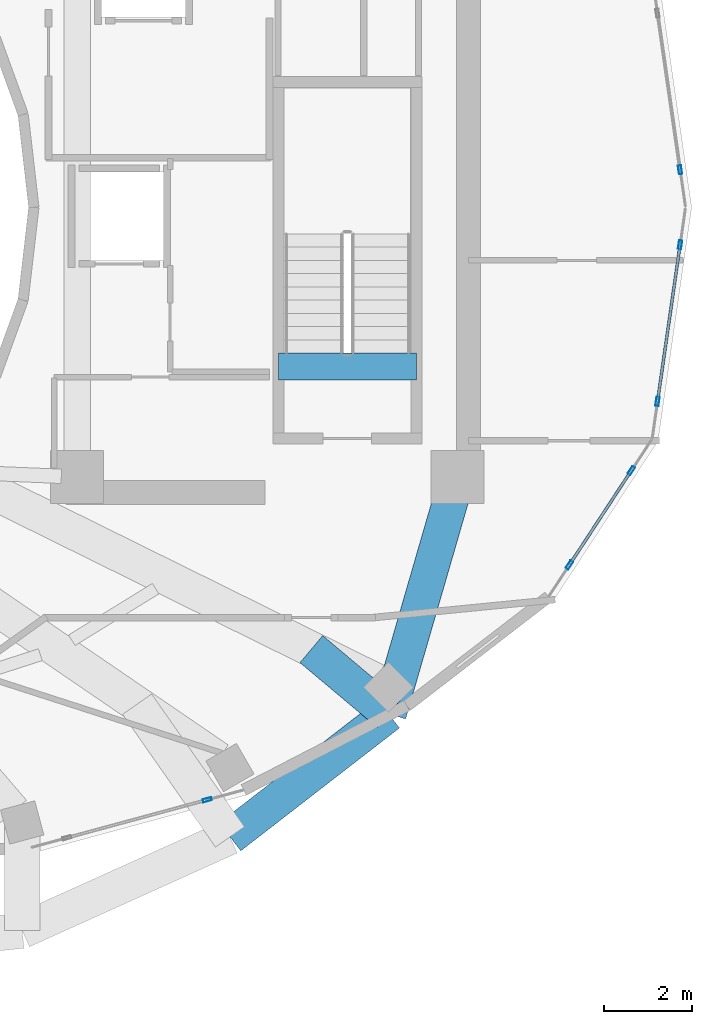
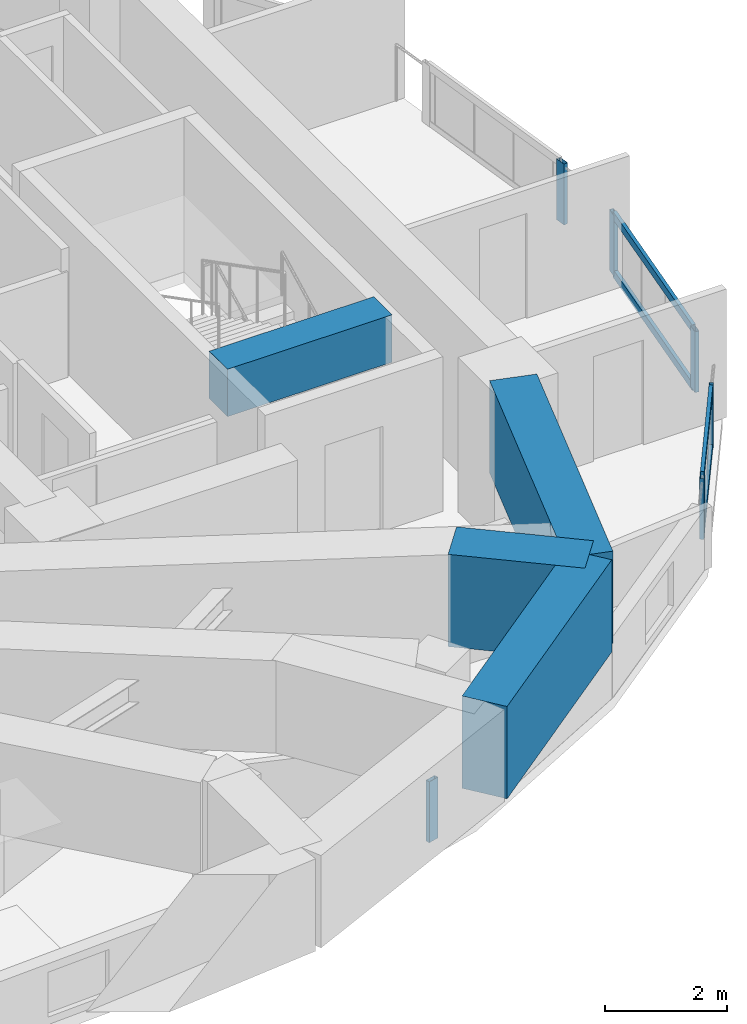
# One storey, part 9 of 19: 10 members, 4 beams, 4 elements without a shape of their own.
"""IFC4 building model written with IfcOpenShell, lengths in metres."""

from ifc_helpers import new_model, si_unit, direction, frame, origin, origin_2d, place, context, subcontext, project, spatial, rectangle, hollow_rectangle, extrude, material, layer, layer_set, material_profile, profile_set, type_object, element, aggregate, save


model = new_model("IFC4")

# Units and contexts
model_context = context("Model", 3, precision=1e-05, world=origin(), true_north=direction((0.0, 1.0)))
body_context = subcontext(model_context, "Body", "Model", "MODEL_VIEW")
ifc_project = project(units=[si_unit("LENGTHUNIT", "METRE"), si_unit("AREAUNIT", "SQUARE_METRE"), si_unit("VOLUMEUNIT", "CUBIC_METRE"), si_unit("PLANEANGLEUNIT", "RADIAN"), si_unit("MASSUNIT", "GRAM", prefix="KILO")], contexts=[model_context])

# Site, building, storey
site_placement = place(None, origin())
site = spatial("IfcSite", under=ifc_project, at=site_placement, CompositionType="ELEMENT")
building_placement = place(site_placement, origin())
building = spatial("IfcBuilding", under=site, at=building_placement, Name="Solvane Sanctuary Tower", CompositionType="ELEMENT")
storey_placement = place(building_placement, frame((0.0, 0.0, 207.800048828125)))
storey = spatial("IfcBuildingStorey", under=building, at=storey_placement, Name="L63", CompositionType="ELEMENT", Elevation=207.800048828125)

# Beams
ifc_material_1 = material(Name="Concrete C70/85", Category="concrete")
ifc_material_profile_1 = material_profile(ifc_material_1, rectangle(XDim=0.60009765625, YDim=0.949951171875, at=origin_2d()), Name="RC600X950")
ifc_profile_set_1 = profile_set([ifc_material_profile_1], Name="Concrete C70/85")
beam_type_1 = type_object("IfcBeamType", Name="Beam B-COUPLE RC600X950", PredefinedType="LINTEL", material=ifc_profile_set_1)
beam_1_placement = place(storey_placement, frame((44.64990234375, 19.399169921875, 2.625), z_axis=(1.0, 0.0, 0.0), x_axis=(0.0, 1.0, 0.0)))
element("IfcBeam", 1, at=beam_1_placement, inside=storey, type_object=beam_type_1, Name="L63 ST-2 Stair Floor Landing Trimmer", PredefinedType="LINTEL", context=body_context, shape_type="SweptSolid", body=[
    extrude(rectangle(XDim=0.60009765625, YDim=0.949951171875, at=origin_2d()), origin(), (0.0, 0.0, 1.0), 3.1201171875),
])
ifc_material_profile_2 = material_profile(ifc_material_1, rectangle(XDim=0.800048828125, YDim=1.85009765625, at=origin_2d()), Name="RC800X1850")
ifc_profile_set_2 = profile_set([ifc_material_profile_2], Name="Concrete C70/85")
beam_type_2 = type_object("IfcBeamType", Name="Beam B-XFER-BLK RC800X1850", PredefinedType="BEAM", material=ifc_profile_set_2)
beam_2_placement = place(storey_placement, frame((45.396484375, 13.006591796875, 2.175048828125), z_axis=(0.765814389122, -0.643061677768, 0.0), x_axis=(0.643061677768, 0.765814389122, 0.0)))
element("IfcBeam", 2, at=beam_2_placement, inside=storey, type_object=beam_type_2, Name="L63 Block-Shift Transfer Tie 14B", PredefinedType="BEAM", context=body_context, shape_type="SweptSolid", body=[
    extrude(rectangle(XDim=0.800048828125, YDim=1.85009765625, at=origin_2d()), origin(), (0.0, 0.0, 1.0), 2.283203125),
])
beam_3_placement = place(storey_placement, frame((43.55517578125, 8.758544921875, 2.175048828125), z_axis=(0.790664929002, 0.612249107836, 0.0), x_axis=(-0.612249107836, 0.790664929002, 0.0)))
element("IfcBeam", 3, at=beam_3_placement, inside=storey, type_object=beam_type_2, Name="L63 Perimeter Step Transfer Ring NTC13-NTC14", PredefinedType="BEAM", context=body_context, shape_type="SweptSolid", body=[
    extrude(rectangle(XDim=0.800048828125, YDim=1.85009765625, at=origin_2d()), origin(), (0.0, 0.0, 1.0), 4.540283203125),
])
beam_4_placement = place(storey_placement, frame((47.14501953125, 11.538330078125, 2.175048828125), z_axis=(0.278522294189, 0.960429764033, 0.0), x_axis=(-0.960429764033, 0.278522294189, 0.0)))
element("IfcBeam", 4, at=beam_4_placement, inside=storey, type_object=beam_type_2, Name="L63 Perimeter Step Transfer Ring NTC14-CE2", PredefinedType="BEAM", context=body_context, shape_type="SweptSolid", body=[
    extrude(rectangle(XDim=0.800048828125, YDim=1.85009765625, at=origin_2d()), origin(), (0.0, 0.0, 1.0), 5.222412109375),
])

# Curtain wall, member
ifc_material_2 = material(Name="Anodised Aluminium 6063-T6", Category="aluminium")
ifc_layer_1 = layer(ifc_material_2, 0.2099609375, Name="Anodised Aluminium 6063-T6")
ifc_layer_set_1 = layer_set([ifc_layer_1], Name="Anodised Aluminium 6063-T6")
curtain_wall_type_1 = type_object("IfcCurtainWallType", Name="Curtain Wall CW-PORTAL", PredefinedType="NOTDEFINED", material=ifc_layer_set_1)
curtain_wall_1_placement = place(storey_placement, origin())
curtain_wall_1 = element("IfcCurtainWall", 5, at=curtain_wall_1_placement, inside=storey, type_object=curtain_wall_type_1, Name="L63 CW-PORTAL Facade Run 00", PredefinedType="NOTDEFINED")
ifc_material_profile_3 = material_profile(ifc_material_2, hollow_rectangle(XDim=0.074951171875, YDim=0.199951171875, WallThickness=0.00390625, at=origin_2d()), Name="ALU200X75X4")
ifc_profile_set_3 = profile_set([ifc_material_profile_3], Name="Anodised Aluminium 6063-T6")
member_type_1 = type_object("IfcMemberType", Name="Member M-CW-MUL-1 ALU200X75X4", PredefinedType="MULLION", material=ifc_profile_set_3)
member_1_placement = place(storey_placement, frame((53.737548828125, 23.8486328125, 0.0), z_axis=(0.0, 0.0, 1.0), x_axis=(-0.989765249591, -0.142705117998, 0.0)))
member_1 = element("IfcMember", 6, at=member_1_placement, type_object=member_type_1, Name="CW-PORTAL mullion 1", PredefinedType="MULLION", context=body_context, shape_type="SweptSolid", body=[
    extrude(hollow_rectangle(XDim=0.074951171875, YDim=0.199951171875, WallThickness=0.00390625, at=origin_2d()), origin(), (0.0, 0.0, 1.0), 1.219970703125),
])
aggregate(curtain_wall_1, [member_1])

ifc_layer_2 = layer(ifc_material_2, 0.18994140625, Name="Anodised Aluminium 6063-T6")
ifc_layer_set_2 = layer_set([ifc_layer_2], Name="Anodised Aluminium 6063-T6")
curtain_wall_type_2 = type_object("IfcCurtainWallType", Name="Curtain Wall CW-OPER", PredefinedType="NOTDEFINED", material=ifc_layer_set_2)
curtain_wall_2_placement = place(storey_placement, origin())
curtain_wall_2 = element("IfcCurtainWall", 7, at=curtain_wall_2_placement, inside=storey, type_object=curtain_wall_type_2, Name="L63 CW-OPER Facade Run 19", PredefinedType="NOTDEFINED")
member_2_placement = place(storey_placement, frame((43.04248046875, 9.5986328125, 0.0), z_axis=(0.0, 0.0, 1.0), x_axis=(-0.261468027073, 0.965212137728, 0.0)))
member_2 = element("IfcMember", 8, at=member_2_placement, type_object=member_type_1, Name="CW-OPER mullion 2", PredefinedType="MULLION", context=body_context, shape_type="SweptSolid", body=[
    extrude(hollow_rectangle(XDim=0.074951171875, YDim=0.199951171875, WallThickness=0.00390625, at=origin_2d()), origin(), (0.0, 0.0, 1.0), 1.219970703125),
])
aggregate(curtain_wall_2, [member_2])

# Curtain wall, members
curtain_wall_3_placement = place(storey_placement, origin())
curtain_wall_3 = element("IfcCurtainWall", 9, at=curtain_wall_3_placement, inside=storey, type_object=curtain_wall_type_1, Name="L63 CW-PORTAL Facade Run 22", PredefinedType="NOTDEFINED")
member_3_placement = place(storey_placement, frame((51.2314453125, 14.90771484375, 0.0), z_axis=(0.0, 0.0, 1.0), x_axis=(-0.83595908826, 0.548791766298, 0.0)))
member_3 = element("IfcMember", 10, at=member_3_placement, type_object=member_type_1, Name="CW-PORTAL mullion 1", PredefinedType="MULLION", context=body_context, shape_type="SweptSolid", body=[
    extrude(hollow_rectangle(XDim=0.074951171875, YDim=0.199951171875, WallThickness=0.00390625, at=origin_2d()), origin(), (0.0, 0.0, 1.0), 1.219970703125),
])
member_4_placement = place(storey_placement, frame((52.634033203125, 17.04443359375, 0.0), z_axis=(0.0, 0.0, 1.0), x_axis=(-0.83595908826, 0.548791766298, 0.0)))
member_4 = element("IfcMember", 11, at=member_4_placement, type_object=member_type_1, Name="CW-PORTAL mullion 2", PredefinedType="MULLION", context=body_context, shape_type="SweptSolid", body=[
    extrude(hollow_rectangle(XDim=0.074951171875, YDim=0.199951171875, WallThickness=0.00390625, at=origin_2d()), origin(), (0.0, 0.0, 1.0), 1.219970703125),
])

curtain_wall_4_placement = place(storey_placement, origin())
curtain_wall_4 = element("IfcCurtainWall", 12, at=curtain_wall_4_placement, inside=storey, type_object=curtain_wall_type_1, Name="L63 CW-PORTAL Facade Run 23", PredefinedType="NOTDEFINED")
member_5_placement = place(storey_placement, frame((53.22705078125, 18.60986328125, 0.0), z_axis=(0.0, 0.0, 1.0), x_axis=(-0.989765249591, 0.142705117998, 0.0)))
member_5 = element("IfcMember", 13, at=member_5_placement, type_object=member_type_1, Name="CW-PORTAL mullion 1", PredefinedType="MULLION", context=body_context, shape_type="SweptSolid", body=[
    extrude(hollow_rectangle(XDim=0.074951171875, YDim=0.199951171875, WallThickness=0.00390625, at=origin_2d()), origin(), (0.0, 0.0, 1.0), 1.219970703125),
])
member_6_placement = place(storey_placement, frame((53.737548828125, 22.1513671875, 0.0), z_axis=(0.0, 0.0, 1.0), x_axis=(-0.989765249591, 0.142705117998, 0.0)))
member_6 = element("IfcMember", 14, at=member_6_placement, type_object=member_type_1, Name="CW-PORTAL mullion 2", PredefinedType="MULLION", context=body_context, shape_type="SweptSolid", body=[
    extrude(hollow_rectangle(XDim=0.074951171875, YDim=0.199951171875, WallThickness=0.00390625, at=origin_2d()), origin(), (0.0, 0.0, 1.0), 1.219970703125),
])

# Member
ifc_material_profile_4 = material_profile(ifc_material_2, hollow_rectangle(XDim=0.06494140625, YDim=0.159912109375, WallThickness=0.00341796875, at=origin_2d()), Name="ALU160X65X3.5")
ifc_profile_set_4 = profile_set([ifc_material_profile_4], Name="Anodised Aluminium 6063-T6")
member_type_2 = type_object("IfcMemberType", Name="Member M-CW-TRN-1 ALU160X65X3.5", PredefinedType="USERDEFINED", material=ifc_profile_set_4)
member_7_placement = place(storey_placement, frame((51.251953125, 14.939208984375, 0.032470703125), z_axis=(0.5488498942, 0.835920925469, 0.0), x_axis=(-0.835920925469, 0.5488498942, 0.0)))
member_7 = element("IfcMember", 15, at=member_7_placement, type_object=member_type_2, Name="CW-PORTAL transom 1.1", ObjectType="TRANSOM", PredefinedType="USERDEFINED", context=body_context, shape_type="SweptSolid", body=[
    extrude(hollow_rectangle(XDim=0.06494140625, YDim=0.159912109375, WallThickness=0.00341796875, at=origin_2d()), origin(), (0.0, 0.0, 1.0), 2.480712890625),
])

member_8_placement = place(storey_placement, frame((51.251953125, 14.939208984375, 1.1875), z_axis=(0.5488498942, 0.835920925469, 0.0), x_axis=(-0.835920925469, 0.5488498942, 0.0)))
member_8 = element("IfcMember", 16, at=member_8_placement, type_object=member_type_2, Name="CW-PORTAL transom 1.2", ObjectType="TRANSOM", PredefinedType="USERDEFINED", context=body_context, shape_type="SweptSolid", body=[
    extrude(hollow_rectangle(XDim=0.06494140625, YDim=0.159912109375, WallThickness=0.00341796875, at=origin_2d()), origin(), (0.0, 0.0, 1.0), 2.480712890625),
])

aggregate(curtain_wall_3, [member_3, member_4, member_7, member_8])

member_9_placement = place(storey_placement, frame((53.232421875, 18.64697265625, 0.032470703125), z_axis=(0.142660376615, 0.989771699406, 0.0), x_axis=(-0.989771699406, 0.142660376615, 0.0)))
member_9 = element("IfcMember", 17, at=member_9_placement, type_object=member_type_2, Name="CW-PORTAL transom 1.1", ObjectType="TRANSOM", PredefinedType="USERDEFINED", context=body_context, shape_type="SweptSolid", body=[
    extrude(hollow_rectangle(XDim=0.06494140625, YDim=0.159912109375, WallThickness=0.00341796875, at=origin_2d()), origin(), (0.0, 0.0, 1.0), 3.503173828125),
])

member_10_placement = place(storey_placement, frame((53.232421875, 18.64697265625, 1.1875), z_axis=(0.142660376615, 0.989771699406, 0.0), x_axis=(-0.989771699406, 0.142660376615, 0.0)))
member_10 = element("IfcMember", 18, at=member_10_placement, type_object=member_type_2, Name="CW-PORTAL transom 1.2", ObjectType="TRANSOM", PredefinedType="USERDEFINED", context=body_context, shape_type="SweptSolid", body=[
    extrude(hollow_rectangle(XDim=0.06494140625, YDim=0.159912109375, WallThickness=0.00341796875, at=origin_2d()), origin(), (0.0, 0.0, 1.0), 3.503173828125),
])

aggregate(curtain_wall_4, [member_5, member_6, member_9, member_10])

save(model, "model.ifc")
